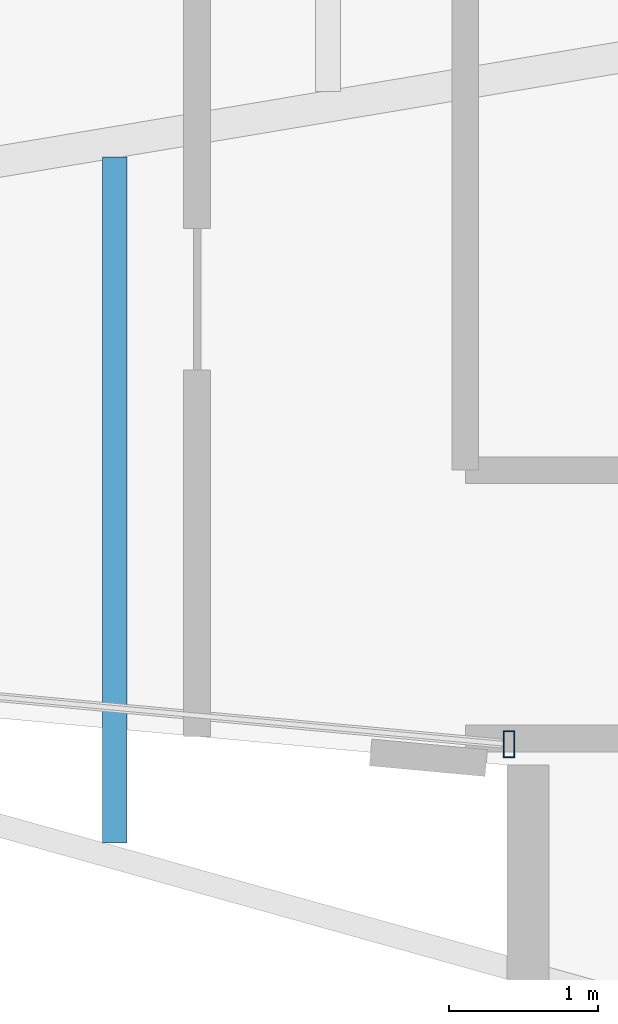
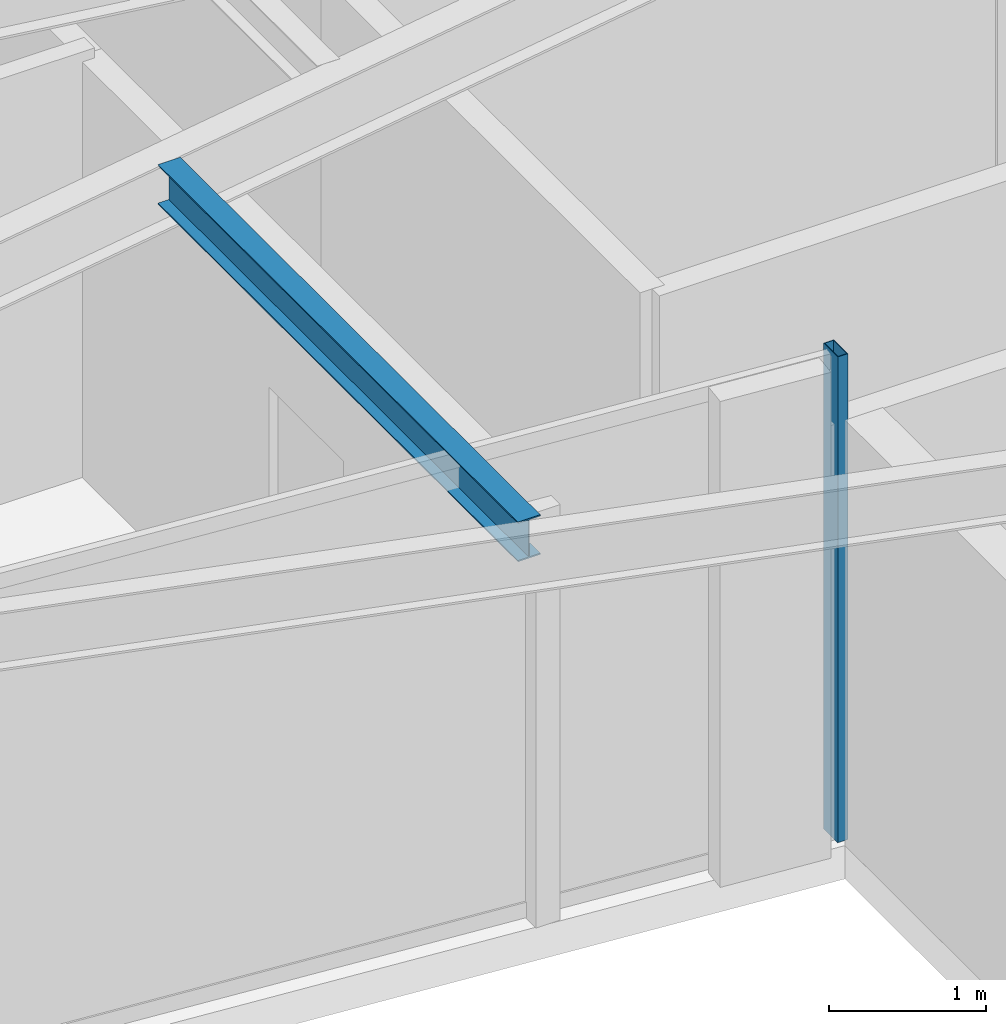
# One storey, part 4 of 22: 1 beam, 1 member, 1 element without a shape of its own.
"""IFC4 building model written with IfcOpenShell, lengths in metres."""

import ifcopenshell
import ifcopenshell.guid

model = None  # the IFC model being written
_history = None  # IfcOwnerHistory: only IFC2X3 demands one
_inside = {}  # id of a spatial element -> (the spatial element, [elements in it])
_under = {}  # id of a project, library or spatial element -> (it, [spatial elements below it])
_declared = {}  # id of a project -> (the project, [libraries it declares])
_typed = {}  # id of a type object -> (the type object, [elements of that type])
_made_of = {}  # id of a material, layer set ... -> (it, [elements and type objects made of it])


def new_model(schema):
    """Start an empty IFC model of exactly this schema.

    Asked for "IFC4X3", IfcOpenShell would pick the latest addendum, in which some entities
    have other attributes; the version numbers below select the first issue.
    IFC2X3 requires an IfcOwnerHistory on every rooted entity: one is made here for all.
    """
    global model, _history
    if schema == "IFC4X3":
        model = ifcopenshell.file(schema_version=(4, 3, 0, 0))
    else:
        model = ifcopenshell.file(schema=schema)
    _inside.clear()
    _under.clear()
    _declared.clear()
    _typed.clear()
    _made_of.clear()
    _history = None
    if model.schema == "IFC2X3":
        org = make("IfcOrganization", Name="unknown")
        user = make(
            "IfcPersonAndOrganization",
            ThePerson=make("IfcPerson", FamilyName="unknown"),
            TheOrganization=org,
        )
        app = make(
            "IfcApplication",
            ApplicationDeveloper=org,
            Version="unknown",
            ApplicationFullName="unknown",
            ApplicationIdentifier="unknown",
        )
        _history = make(
            "IfcOwnerHistory",
            OwningUser=user,
            OwningApplication=app,
            ChangeAction="ADDED",
            CreationDate=0,
        )
    return model


def make(cls, **values):
    """One entity of the class cls with the attributes given. An attribute that is None is left unset."""
    return model.create_entity(
        cls, **{name: value for name, value in values.items() if value is not None}
    )


def rooted(cls, **values):
    """An entity with a GlobalId (a new one), such as an element, a storey or a relation."""
    return make(cls, GlobalId=ifcopenshell.guid.new(), OwnerHistory=_history, **values)


def si_unit(unit_type, name, prefix=None):
    """IfcSIUnit, for example si_unit("LENGTHUNIT", "METRE", prefix="MILLI")."""
    return make("IfcSIUnit", UnitType=unit_type, Prefix=prefix, Name=name)


def assignment(units):
    """IfcUnitAssignment: the units of a project."""
    return None if units is None else make("IfcUnitAssignment", Units=units)


def point(xyz):
    """IfcCartesianPoint."""
    return None if xyz is None else make("IfcCartesianPoint", Coordinates=xyz)


def direction(xyz):
    """IfcDirection."""
    return None if xyz is None else make("IfcDirection", DirectionRatios=xyz)


def frame(location, z_axis=None, x_axis=None):
    """IfcAxis2Placement3D, a coordinate frame: its origin and axes. An axis left out is left unset."""
    return make(
        "IfcAxis2Placement3D",
        Location=point(location),
        Axis=direction(z_axis),
        RefDirection=direction(x_axis),
    )


def frame_2d(location, x_axis=None):
    """IfcAxis2Placement2D, a coordinate frame in the plane: its origin and x axis."""
    return make(
        "IfcAxis2Placement2D", Location=point(location), RefDirection=direction(x_axis)
    )


def origin():
    """The frame at (0, 0, 0) with its axes left unset."""
    return frame((0.0, 0.0, 0.0))


def origin_2d():
    """The frame at (0, 0) in the plane with its x axis left unset."""
    return frame_2d((0.0, 0.0))


def place(relative_to, where):
    """IfcLocalPlacement: puts the frame where relative to a parent placement (None: the world)."""
    return make(
        "IfcLocalPlacement", PlacementRelTo=relative_to, RelativePlacement=where
    )


def context(
    kind, dimensions, precision=None, world=None, true_north=None, identifier=None
):
    """IfcGeometricRepresentationContext, for example the 3D "Model" context."""
    return make(
        "IfcGeometricRepresentationContext",
        ContextIdentifier=identifier,
        ContextType=kind,
        CoordinateSpaceDimension=dimensions,
        Precision=precision,
        WorldCoordinateSystem=world,
        TrueNorth=true_north,
    )


def subcontext(parent, identifier, kind, view, scale=None):
    """IfcGeometricRepresentationSubContext, for example "Body" below "Model"."""
    return make(
        "IfcGeometricRepresentationSubContext",
        ContextIdentifier=identifier,
        ContextType=kind,
        ParentContext=parent,
        TargetScale=scale,
        TargetView=view,
    )


def project(units=None, contexts=None):
    """IfcProject with its units and contexts."""
    return rooted(
        "IfcProject",
        Name="project",
        RepresentationContexts=contexts,
        UnitsInContext=assignment(units),
    )


def spatial(cls, under=None, at=None, **own):
    """A site, building, storey or space (cls), placed at a placement, below another one or the project."""
    s = rooted(cls, ObjectPlacement=at, **own)
    if under is not None:
        _under.setdefault(under.id(), (under, []))[1].append(s)
    return s


def profile(cls, at=None, kind="AREA", **sizes):
    """A parametric profile (cls). Its sizes go by their IFC names, for example OverallWidth=200.0."""
    return make(cls, ProfileType=kind, Position=at, **sizes)


def hollow_rectangle(**sizes):
    """IfcRectangleHollowProfileDef."""
    return profile("IfcRectangleHollowProfileDef", **sizes)


def i_section(**sizes):
    """IfcIShapeProfileDef."""
    return profile("IfcIShapeProfileDef", **sizes)


def extrude(swept, where, along, depth):
    """IfcExtrudedAreaSolid: the profile swept, set in the frame where, extruded along a direction by depth."""
    return make(
        "IfcExtrudedAreaSolid",
        SweptArea=swept,
        Position=where,
        ExtrudedDirection=direction(along),
        Depth=depth,
    )


def shape(context_of_items, identifier, shape_type, items):
    """IfcShapeRepresentation: the items that make up one representation, for example the "Body"."""
    return make(
        "IfcShapeRepresentation",
        ContextOfItems=context_of_items,
        RepresentationIdentifier=identifier,
        RepresentationType=shape_type,
        Items=items,
    )


def material(Name=None, Category=None):
    """IfcMaterial."""
    return make("IfcMaterial", Name=Name, Category=Category)


def layer(
    of_material, thickness, ventilated=None, Name=None, Category=None, Priority=None
):
    """IfcMaterialLayer: one layer of a wall or slab, of a material (None: an air gap)."""
    return make(
        "IfcMaterialLayer",
        Material=of_material,
        LayerThickness=thickness,
        IsVentilated=ventilated,
        Name=Name,
        Category=Category,
        Priority=Priority,
    )


def layer_set(layers, Name=None):
    """IfcMaterialLayerSet."""
    return make("IfcMaterialLayerSet", MaterialLayers=layers, LayerSetName=Name)


def material_profile(
    of_material, cross_section, Name=None, Category=None, Priority=None
):
    """IfcMaterialProfile: a cross section and its material."""
    return make(
        "IfcMaterialProfile",
        Name=Name,
        Material=of_material,
        Profile=cross_section,
        Priority=Priority,
        Category=Category,
    )


def profile_set(profiles, Name=None, composite=None):
    """IfcMaterialProfileSet."""
    return make(
        "IfcMaterialProfileSet",
        Name=Name,
        MaterialProfiles=profiles,
        CompositeProfile=composite,
    )


def made_of(thing, what):
    """Note that an element or type object is made of a material, layer set ...; save() writes the relation."""
    if what is not None:
        _made_of.setdefault(what.id(), (what, []))[1].append(thing)
    return thing


def type_object(cls, material=None, **own):
    """A type object (cls), such as IfcWallType, which elements share."""
    return made_of(rooted(cls, **own), material)


def element(
    cls,
    number,
    at=None,
    inside=None,
    cuts=None,
    type_object=None,
    material=None,
    context=None,
    identifier="Body",
    shape_type=None,
    held_by="IfcProductDefinitionShape",
    body=None,
    shapes=None,
    **own,
):
    """One element of the class cls, such as IfcWall. Its Tag is "e" and its number.

    at: its placement. inside: the storey or other place that contains it. cuts: it is an
    opening in that element (IfcRelVoidsElement). A single representation is given by context,
    identifier, shape_type and body (its items); several are given by shapes. held_by: the class
    of the entity that holds the representations. save() writes the other relations.
    """
    e = rooted(cls, Tag="e%d" % number, ObjectPlacement=at, **own)
    if body is not None:
        shapes = [shape(context, identifier, shape_type, body)]
    if shapes is not None:
        e.Representation = make(held_by, Representations=shapes)
    if inside is not None:
        _inside.setdefault(inside.id(), (inside, []))[1].append(e)
    if cuts is not None:
        rooted(
            "IfcRelVoidsElement", RelatingBuildingElement=cuts, RelatedOpeningElement=e
        )
    if type_object is not None:
        _typed.setdefault(type_object.id(), (type_object, []))[1].append(e)
    return made_of(e, material)


def aggregate(whole, parts):
    """IfcRelAggregates: a whole, such as a stair, and the parts it consists of."""
    return rooted("IfcRelAggregates", RelatingObject=whole, RelatedObjects=parts)


def save(model, path):
    """Write the relations noted so far, then the file.

    IfcRelAggregates (storeys below a building ...), IfcRelContainedInSpatialStructure (elements
    in a storey), IfcRelDefinesByType, IfcRelAssociatesMaterial and IfcRelDeclares: one each for
    every whole, place, type object, material and project.
    """
    for whole, parts in _under.values():
        aggregate(whole, parts)
    for where, things in _inside.values():
        rooted(
            "IfcRelContainedInSpatialStructure",
            RelatedElements=things,
            RelatingStructure=where,
        )
    for kind, things in _typed.values():
        rooted("IfcRelDefinesByType", RelatedObjects=things, RelatingType=kind)
    for what, things in _made_of.values():
        rooted("IfcRelAssociatesMaterial", RelatedObjects=things, RelatingMaterial=what)
    for by, libraries in _declared.values():
        rooted("IfcRelDeclares", RelatingContext=by, RelatedDefinitions=libraries)
    model.write(path)


model = new_model("IFC4")

# Units and contexts
model_context = context("Model", 3, precision=1e-05, world=origin(), true_north=direction((0.0, 1.0)))
body_context = subcontext(model_context, "Body", "Model", "MODEL_VIEW")
ifc_project = project(units=[si_unit("LENGTHUNIT", "METRE"), si_unit("AREAUNIT", "SQUARE_METRE"), si_unit("VOLUMEUNIT", "CUBIC_METRE"), si_unit("PLANEANGLEUNIT", "RADIAN"), si_unit("MASSUNIT", "GRAM", prefix="KILO")], contexts=[model_context])

# Site, building, storey
site_placement = place(None, origin())
site = spatial("IfcSite", under=ifc_project, at=site_placement, CompositionType="ELEMENT")
building_placement = place(site_placement, origin())
building = spatial("IfcBuilding", under=site, at=building_placement, Name="Veymaron Broadcast Tower", CompositionType="ELEMENT")
storey_placement = place(building_placement, frame((0.0, 0.0, 204.0)))
storey = spatial("IfcBuildingStorey", under=building, at=storey_placement, Name="L47", CompositionType="ELEMENT", Elevation=204.0)

# Beam
ifc_material_1 = material(Name="Structural steel ASTM A992 Gr 50", Category="steel")
ifc_material_profile_1 = material_profile(ifc_material_1, i_section(OverallWidth=0.1650390625, OverallDepth=0.31005859375, WebThickness=0.005859375, FlangeThickness=0.009765625, at=origin_2d()), Name="W310X39")
ifc_profile_set_1 = profile_set([ifc_material_profile_1], Name="Structural steel ASTM A992 Gr 50")
beam_type = type_object("IfcBeamType", Name="BM-JS3", PredefinedType="JOIST", material=ifc_profile_set_1)
beam_placement = place(storey_placement, frame((24.048095703125, 18.10009765625, 3.635009765625), z_axis=(0.0, 1.0, 0.0), x_axis=(-1.0, 0.0, 0.0)))
element("IfcBeam", 1, at=beam_placement, inside=storey, type_object=beam_type, Name="L47 Arm-A secondary joist 2S", PredefinedType="JOIST", context=body_context, shape_type="SweptSolid", body=[
    extrude(i_section(OverallWidth=0.1650390625, OverallDepth=0.31005859375, WebThickness=0.005859375, FlangeThickness=0.009765625, at=origin_2d()), origin(), (0.0, 0.0, 1.0), 4.599853515625),
])

# Curtain wall, member
ifc_material_2 = material(Name="Anodised aluminium AA 6063-T6 and laminated low-E dark glass", Category="aluminium")
ifc_layer = layer(ifc_material_2, 0.179931640625)
ifc_layer_set = layer_set([ifc_layer], Name="Anodised aluminium AA 6063-T6 and laminated low-E dark glass")
curtain_wall_type = type_object("IfcCurtainWallType", Name="CW-SYS-05", PredefinedType="NOTDEFINED", material=ifc_layer_set)
curtain_wall_placement = place(storey_placement, origin())
curtain_wall = element("IfcCurtainWall", 2, at=curtain_wall_placement, inside=storey, type_object=curtain_wall_type, Name="L47 dark-glass curtain wall CW-L47-E14-1", PredefinedType="NOTDEFINED")
ifc_material_3 = material(Name="Anodised aluminium AA 6063-T6", Category="aluminium")
ifc_material_profile_2 = material_profile(ifc_material_3, hollow_rectangle(XDim=0.074951171875, YDim=0.179931640625, WallThickness=0.0048828125, at=origin_2d()), Name="AL180X75X5")
ifc_profile_set_2 = profile_set([ifc_material_profile_2], Name="Anodised aluminium AA 6063-T6")
member_type = type_object("IfcMemberType", Name="CW-MUL-02", PredefinedType="MULLION", material=ifc_profile_set_2)
member_placement = place(storey_placement, frame((26.69287109375, 18.76171875, 0.0), z_axis=(0.0, 0.0, 1.0), x_axis=(1.0, 0.0, 0.0)))
member = element("IfcMember", 3, at=member_placement, type_object=member_type, Name="CW-L47-E14-1 mullion 2", PredefinedType="MULLION", context=body_context, shape_type="SweptSolid", body=[
    extrude(hollow_rectangle(XDim=0.074951171875, YDim=0.179931640625, WallThickness=0.0048828125, at=origin_2d()), origin(), (0.0, 0.0, 1.0), 3.7900390625),
])
aggregate(curtain_wall, [member])

save(model, "model.ifc")
